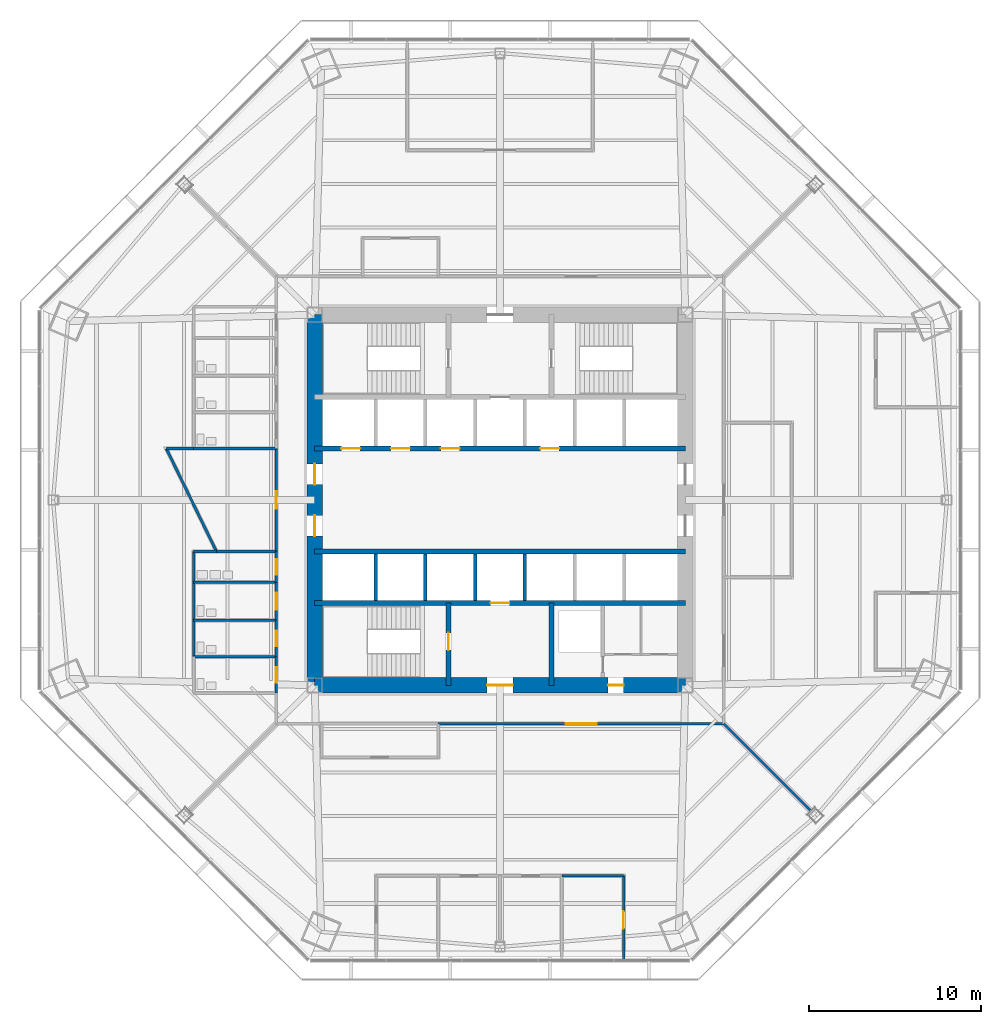
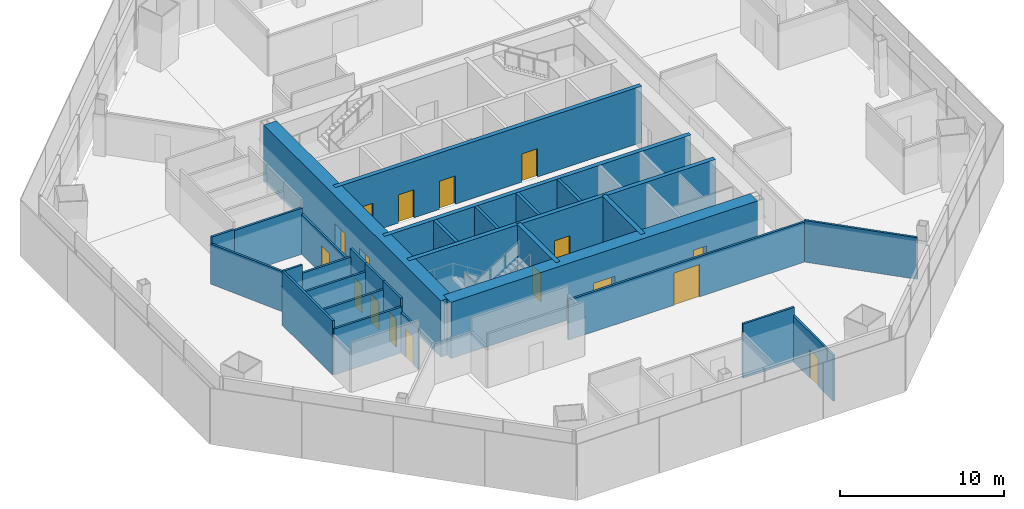
# One storey, part 8 of 14: 29 walls, 17 doors, 17 openings.
"""IFC4 building model written with IfcOpenShell, lengths in metres."""

import ifcopenshell
import ifcopenshell.guid

model = None  # the IFC model being written
_history = None  # IfcOwnerHistory: only IFC2X3 demands one
_inside = {}  # id of a spatial element -> (the spatial element, [elements in it])
_under = {}  # id of a project, library or spatial element -> (it, [spatial elements below it])
_declared = {}  # id of a project -> (the project, [libraries it declares])
_typed = {}  # id of a type object -> (the type object, [elements of that type])
_made_of = {}  # id of a material, layer set ... -> (it, [elements and type objects made of it])


def new_model(schema):
    """Start an empty IFC model of exactly this schema.

    Asked for "IFC4X3", IfcOpenShell would pick the latest addendum, in which some entities
    have other attributes; the version numbers below select the first issue.
    IFC2X3 requires an IfcOwnerHistory on every rooted entity: one is made here for all.
    """
    global model, _history
    if schema == "IFC4X3":
        model = ifcopenshell.file(schema_version=(4, 3, 0, 0))
    else:
        model = ifcopenshell.file(schema=schema)
    _inside.clear()
    _under.clear()
    _declared.clear()
    _typed.clear()
    _made_of.clear()
    _history = None
    if model.schema == "IFC2X3":
        org = make("IfcOrganization", Name="unknown")
        user = make(
            "IfcPersonAndOrganization",
            ThePerson=make("IfcPerson", FamilyName="unknown"),
            TheOrganization=org,
        )
        app = make(
            "IfcApplication",
            ApplicationDeveloper=org,
            Version="unknown",
            ApplicationFullName="unknown",
            ApplicationIdentifier="unknown",
        )
        _history = make(
            "IfcOwnerHistory",
            OwningUser=user,
            OwningApplication=app,
            ChangeAction="ADDED",
            CreationDate=0,
        )
    return model


def make(cls, **values):
    """One entity of the class cls with the attributes given. An attribute that is None is left unset."""
    return model.create_entity(
        cls, **{name: value for name, value in values.items() if value is not None}
    )


def rooted(cls, **values):
    """An entity with a GlobalId (a new one), such as an element, a storey or a relation."""
    return make(cls, GlobalId=ifcopenshell.guid.new(), OwnerHistory=_history, **values)


def si_unit(unit_type, name, prefix=None):
    """IfcSIUnit, for example si_unit("LENGTHUNIT", "METRE", prefix="MILLI")."""
    return make("IfcSIUnit", UnitType=unit_type, Prefix=prefix, Name=name)


def assignment(units):
    """IfcUnitAssignment: the units of a project."""
    return None if units is None else make("IfcUnitAssignment", Units=units)


def point(xyz):
    """IfcCartesianPoint."""
    return None if xyz is None else make("IfcCartesianPoint", Coordinates=xyz)


def direction(xyz):
    """IfcDirection."""
    return None if xyz is None else make("IfcDirection", DirectionRatios=xyz)


def frame(location, z_axis=None, x_axis=None):
    """IfcAxis2Placement3D, a coordinate frame: its origin and axes. An axis left out is left unset."""
    return make(
        "IfcAxis2Placement3D",
        Location=point(location),
        Axis=direction(z_axis),
        RefDirection=direction(x_axis),
    )


def frame_2d(location, x_axis=None):
    """IfcAxis2Placement2D, a coordinate frame in the plane: its origin and x axis."""
    return make(
        "IfcAxis2Placement2D", Location=point(location), RefDirection=direction(x_axis)
    )


def origin():
    """The frame at (0, 0, 0) with its axes left unset."""
    return frame((0.0, 0.0, 0.0))


def place(relative_to, where):
    """IfcLocalPlacement: puts the frame where relative to a parent placement (None: the world)."""
    return make(
        "IfcLocalPlacement", PlacementRelTo=relative_to, RelativePlacement=where
    )


def context(
    kind, dimensions, precision=None, world=None, true_north=None, identifier=None
):
    """IfcGeometricRepresentationContext, for example the 3D "Model" context."""
    return make(
        "IfcGeometricRepresentationContext",
        ContextIdentifier=identifier,
        ContextType=kind,
        CoordinateSpaceDimension=dimensions,
        Precision=precision,
        WorldCoordinateSystem=world,
        TrueNorth=true_north,
    )


def subcontext(parent, identifier, kind, view, scale=None):
    """IfcGeometricRepresentationSubContext, for example "Body" below "Model"."""
    return make(
        "IfcGeometricRepresentationSubContext",
        ContextIdentifier=identifier,
        ContextType=kind,
        ParentContext=parent,
        TargetScale=scale,
        TargetView=view,
    )


def project(units=None, contexts=None):
    """IfcProject with its units and contexts."""
    return rooted(
        "IfcProject",
        Name="project",
        RepresentationContexts=contexts,
        UnitsInContext=assignment(units),
    )


def spatial(cls, under=None, at=None, **own):
    """A site, building, storey or space (cls), placed at a placement, below another one or the project."""
    s = rooted(cls, ObjectPlacement=at, **own)
    if under is not None:
        _under.setdefault(under.id(), (under, []))[1].append(s)
    return s


def profile(cls, at=None, kind="AREA", **sizes):
    """A parametric profile (cls). Its sizes go by their IFC names, for example OverallWidth=200.0."""
    return make(cls, ProfileType=kind, Position=at, **sizes)


def rectangle(**sizes):
    """IfcRectangleProfileDef."""
    return profile("IfcRectangleProfileDef", **sizes)


def extrude(swept, where, along, depth):
    """IfcExtrudedAreaSolid: the profile swept, set in the frame where, extruded along a direction by depth."""
    return make(
        "IfcExtrudedAreaSolid",
        SweptArea=swept,
        Position=where,
        ExtrudedDirection=direction(along),
        Depth=depth,
    )


def shape(context_of_items, identifier, shape_type, items):
    """IfcShapeRepresentation: the items that make up one representation, for example the "Body"."""
    return make(
        "IfcShapeRepresentation",
        ContextOfItems=context_of_items,
        RepresentationIdentifier=identifier,
        RepresentationType=shape_type,
        Items=items,
    )


def material(Name=None, Category=None):
    """IfcMaterial."""
    return make("IfcMaterial", Name=Name, Category=Category)


def layer(
    of_material, thickness, ventilated=None, Name=None, Category=None, Priority=None
):
    """IfcMaterialLayer: one layer of a wall or slab, of a material (None: an air gap)."""
    return make(
        "IfcMaterialLayer",
        Material=of_material,
        LayerThickness=thickness,
        IsVentilated=ventilated,
        Name=Name,
        Category=Category,
        Priority=Priority,
    )


def layer_set(layers, Name=None):
    """IfcMaterialLayerSet."""
    return make("IfcMaterialLayerSet", MaterialLayers=layers, LayerSetName=Name)


def made_of(thing, what):
    """Note that an element or type object is made of a material, layer set ...; save() writes the relation."""
    if what is not None:
        _made_of.setdefault(what.id(), (what, []))[1].append(thing)
    return thing


def type_object(cls, material=None, **own):
    """A type object (cls), such as IfcWallType, which elements share."""
    return made_of(rooted(cls, **own), material)


def element(
    cls,
    number,
    at=None,
    inside=None,
    cuts=None,
    type_object=None,
    material=None,
    context=None,
    identifier="Body",
    shape_type=None,
    held_by="IfcProductDefinitionShape",
    body=None,
    shapes=None,
    **own,
):
    """One element of the class cls, such as IfcWall. Its Tag is "e" and its number.

    at: its placement. inside: the storey or other place that contains it. cuts: it is an
    opening in that element (IfcRelVoidsElement). A single representation is given by context,
    identifier, shape_type and body (its items); several are given by shapes. held_by: the class
    of the entity that holds the representations. save() writes the other relations.
    """
    e = rooted(cls, Tag="e%d" % number, ObjectPlacement=at, **own)
    if body is not None:
        shapes = [shape(context, identifier, shape_type, body)]
    if shapes is not None:
        e.Representation = make(held_by, Representations=shapes)
    if inside is not None:
        _inside.setdefault(inside.id(), (inside, []))[1].append(e)
    if cuts is not None:
        rooted(
            "IfcRelVoidsElement", RelatingBuildingElement=cuts, RelatedOpeningElement=e
        )
    if type_object is not None:
        _typed.setdefault(type_object.id(), (type_object, []))[1].append(e)
    return made_of(e, material)


def fill(opening, filler):
    """IfcRelFillsElement: the door or window that sits in an opening."""
    return rooted(
        "IfcRelFillsElement",
        RelatingOpeningElement=opening,
        RelatedBuildingElement=filler,
    )


def aggregate(whole, parts):
    """IfcRelAggregates: a whole, such as a stair, and the parts it consists of."""
    return rooted("IfcRelAggregates", RelatingObject=whole, RelatedObjects=parts)


def save(model, path):
    """Write the relations noted so far, then the file.

    IfcRelAggregates (storeys below a building ...), IfcRelContainedInSpatialStructure (elements
    in a storey), IfcRelDefinesByType, IfcRelAssociatesMaterial and IfcRelDeclares: one each for
    every whole, place, type object, material and project.
    """
    for whole, parts in _under.values():
        aggregate(whole, parts)
    for where, things in _inside.values():
        rooted(
            "IfcRelContainedInSpatialStructure",
            RelatedElements=things,
            RelatingStructure=where,
        )
    for kind, things in _typed.values():
        rooted("IfcRelDefinesByType", RelatedObjects=things, RelatingType=kind)
    for what, things in _made_of.values():
        rooted("IfcRelAssociatesMaterial", RelatedObjects=things, RelatingMaterial=what)
    for by, libraries in _declared.values():
        rooted("IfcRelDeclares", RelatingContext=by, RelatedDefinitions=libraries)
    model.write(path)


model = new_model("IFC4")

# Units and contexts
model_context = context("Model", 3, precision=1e-05, world=origin(), true_north=direction((0.0, 1.0)))
body_context = subcontext(model_context, "Body", "Model", "MODEL_VIEW")
ifc_project = project(units=[si_unit("LENGTHUNIT", "METRE"), si_unit("AREAUNIT", "SQUARE_METRE"), si_unit("VOLUMEUNIT", "CUBIC_METRE"), si_unit("PLANEANGLEUNIT", "RADIAN"), si_unit("MASSUNIT", "GRAM", prefix="KILO")], contexts=[model_context])

# Site, building, storey
site_placement = place(None, origin())
site = spatial("IfcSite", under=ifc_project, at=site_placement, CompositionType="ELEMENT")
building_placement = place(site_placement, origin())
building = spatial("IfcBuilding", under=site, at=building_placement, Name="Mashrafa Tower", CompositionType="ELEMENT")
storey_placement = place(building_placement, frame((0.0, 0.0, 41.39990234375)))
storey = spatial("IfcBuildingStorey", under=building, at=storey_placement, Name="L08", CompositionType="ELEMENT", Elevation=41.39990234375)

# Wall, openings, doors
ifc_material_1 = material(Name="Concrete C60/75", Category="concrete")
ifc_layer_1 = layer(ifc_material_1, 0.300048828125)
ifc_layer_set_1 = layer_set([ifc_layer_1], Name="Core wall 300 C60/75")
wall_type_1 = type_object("IfcWallType", Name="Core wall 300 C60/75", PredefinedType="SOLIDWALL", material=ifc_layer_set_1)
wall_1_placement = place(storey_placement, frame((-10.800048828125, 3.0, 0.0), z_axis=(0.0, 0.0, 1.0), x_axis=(1.0, 0.0, 0.0)))
wall_1 = element("IfcWall", 1, at=wall_1_placement, inside=storey, type_object=wall_type_1, Name="Core wall CH-N L08", PredefinedType="SOLIDWALL", context=body_context, shape_type="SweptSolid", body=[
    extrude(rectangle(XDim=21.60009765625, YDim=0.300048828125, at=frame_2d((10.800048828125, 0.0))), origin(), (0.0, 0.0, 1.0), 4.2001953125),
])
opening_1_placement = place(wall_1_placement, frame((1.550048828125, 0.0, 0.0)))
opening_1 = element("IfcOpeningElement", 2, at=opening_1_placement, cuts=wall_1, Name="Opening 08.A1", PredefinedType="OPENING", context=body_context, shape_type="SweptSolid", body=[
    extrude(rectangle(XDim=1.10009765625, YDim=2.10009765625, at=frame_2d((0.550048828125, 1.050048828125))), frame((0.0, 0.159912109375, 0.0), z_axis=(0.0, -1.0, 0.0), x_axis=(1.0, 0.0, 0.0)), (0.0, 0.0, 1.0), 0.320068359375),
])
opening_2_placement = place(wall_1_placement, frame((4.449951171875, 0.0, 0.0)))
opening_2 = element("IfcOpeningElement", 3, at=opening_2_placement, cuts=wall_1, Name="Opening 08.A2", PredefinedType="OPENING", context=body_context, shape_type="SweptSolid", body=[
    extrude(rectangle(XDim=1.10009765625, YDim=2.10009765625, at=frame_2d((0.550048828125, 1.050048828125))), frame((0.0, 0.159912109375, 0.0), z_axis=(0.0, -1.0, 0.0), x_axis=(1.0, 0.0, 0.0)), (0.0, 0.0, 1.0), 0.320068359375),
])
opening_3_placement = place(wall_1_placement, frame((7.35009765625, 0.0, 0.0)))
opening_3 = element("IfcOpeningElement", 4, at=opening_3_placement, cuts=wall_1, Name="Opening 08.A3", PredefinedType="OPENING", context=body_context, shape_type="SweptSolid", body=[
    extrude(rectangle(XDim=1.10009765625, YDim=2.10009765625, at=frame_2d((0.550048828125, 1.050048828125))), frame((0.0, 0.159912109375, 0.0), z_axis=(0.0, -1.0, 0.0), x_axis=(1.0, 0.0, 0.0)), (0.0, 0.0, 1.0), 0.320068359375),
])
opening_4_placement = place(wall_1_placement, frame((13.14990234375, 0.0, 0.0)))
opening_4 = element("IfcOpeningElement", 5, at=opening_4_placement, cuts=wall_1, Name="Opening 08.A4", PredefinedType="OPENING", context=body_context, shape_type="SweptSolid", body=[
    extrude(rectangle(XDim=1.10009765625, YDim=2.10009765625, at=frame_2d((0.550048828125, 1.050048828125))), frame((0.0, 0.159912109375, 0.0), z_axis=(0.0, -1.0, 0.0), x_axis=(1.0, 0.0, 0.0)), (0.0, 0.0, 1.0), 0.320068359375),
])
ifc_material_2 = material(Name="Steel door", Category="steel")
door_type_1 = type_object("IfcDoorType", Name="Lift landing door 1100 x 2100 90 min", OperationType="DOUBLE_DOOR_SLIDING", PredefinedType="DOOR", material=ifc_material_2)
door_1_placement = place(opening_1_placement, origin())
door_1 = element("IfcDoor", 6, at=door_1_placement, inside=storey, type_object=door_type_1, Name="Lift landing door A1 L08", OperationType="DOUBLE_DOOR_SLIDING", OverallHeight=2.10009765625, OverallWidth=1.10009765625, PredefinedType="DOOR", context=body_context, shape_type="SweptSolid", body=[
    extrude(rectangle(XDim=1.10009765625, YDim=2.10009765625, at=frame_2d((0.550048828125, 1.050048828125))), frame((0.0, 0.02490234375, 0.0), z_axis=(0.0, -1.0, 0.0), x_axis=(1.0, 0.0, 0.0)), (0.0, 0.0, 1.0), 0.050048828125),
])
fill(opening_1, door_1)
door_2_placement = place(opening_2_placement, origin())
door_2 = element("IfcDoor", 7, at=door_2_placement, inside=storey, type_object=door_type_1, Name="Lift landing door A2 L08", OperationType="DOUBLE_DOOR_SLIDING", OverallHeight=2.10009765625, OverallWidth=1.10009765625, PredefinedType="DOOR", context=body_context, shape_type="SweptSolid", body=[
    extrude(rectangle(XDim=1.10009765625, YDim=2.10009765625, at=frame_2d((0.550048828125, 1.050048828125))), frame((0.0, 0.02490234375, 0.0), z_axis=(0.0, -1.0, 0.0), x_axis=(1.0, 0.0, 0.0)), (0.0, 0.0, 1.0), 0.050048828125),
])
fill(opening_2, door_2)
door_3_placement = place(opening_3_placement, origin())
door_3 = element("IfcDoor", 8, at=door_3_placement, inside=storey, type_object=door_type_1, Name="Lift landing door A3 L08", OperationType="DOUBLE_DOOR_SLIDING", OverallHeight=2.10009765625, OverallWidth=1.10009765625, PredefinedType="DOOR", context=body_context, shape_type="SweptSolid", body=[
    extrude(rectangle(XDim=1.10009765625, YDim=2.10009765625, at=frame_2d((0.550048828125, 1.050048828125))), frame((0.0, 0.02490234375, 0.0), z_axis=(0.0, -1.0, 0.0), x_axis=(1.0, 0.0, 0.0)), (0.0, 0.0, 1.0), 0.050048828125),
])
fill(opening_3, door_3)
door_4_placement = place(opening_4_placement, origin())
door_4 = element("IfcDoor", 9, at=door_4_placement, inside=storey, type_object=door_type_1, Name="Lift landing door A4 L08", OperationType="DOUBLE_DOOR_SLIDING", OverallHeight=2.10009765625, OverallWidth=1.10009765625, PredefinedType="DOOR", context=body_context, shape_type="SweptSolid", body=[
    extrude(rectangle(XDim=1.10009765625, YDim=2.10009765625, at=frame_2d((0.550048828125, 1.050048828125))), frame((0.0, 0.02490234375, 0.0), z_axis=(0.0, -1.0, 0.0), x_axis=(1.0, 0.0, 0.0)), (0.0, 0.0, 1.0), 0.050048828125),
])
fill(opening_4, door_4)

# Wall
wall_2_placement = place(storey_placement, frame((-10.800048828125, -3.0, 0.0), z_axis=(0.0, 0.0, 1.0), x_axis=(1.0, 0.0, 0.0)))
element("IfcWall", 10, at=wall_2_placement, inside=storey, type_object=wall_type_1, Name="Core wall CH-S L08", PredefinedType="SOLIDWALL", context=body_context, shape_type="SweptSolid", body=[
    extrude(rectangle(XDim=21.60009765625, YDim=0.300048828125, at=frame_2d((10.800048828125, 0.0))), origin(), (0.0, 0.0, 1.0), 4.2001953125),
])

# Wall, opening, door
wall_3_placement = place(storey_placement, frame((-10.800048828125, -6.0, 0.0), z_axis=(0.0, 0.0, 1.0), x_axis=(1.0, 0.0, 0.0)))
wall_3 = element("IfcWall", 11, at=wall_3_placement, inside=storey, type_object=wall_type_1, Name="Core wall CB-S L08", PredefinedType="SOLIDWALL", context=body_context, shape_type="SweptSolid", body=[
    extrude(rectangle(XDim=21.60009765625, YDim=0.300048828125, at=frame_2d((10.800048828125, 0.0))), origin(), (0.0, 0.0, 1.0), 4.2001953125),
])
opening_5_placement = place(wall_3_placement, frame((10.25, 0.0, 0.0)))
opening_5 = element("IfcOpeningElement", 12, at=opening_5_placement, cuts=wall_3, Name="Opening 08.F2", PredefinedType="OPENING", context=body_context, shape_type="SweptSolid", body=[
    extrude(rectangle(XDim=1.10009765625, YDim=2.10009765625, at=frame_2d((0.550048828125, 1.050048828125))), frame((0.0, 0.159912109375, 0.0), z_axis=(0.0, -1.0, 0.0), x_axis=(1.0, 0.0, 0.0)), (0.0, 0.0, 1.0), 0.320068359375),
])
door_5_placement = place(opening_5_placement, origin())
door_5 = element("IfcDoor", 13, at=door_5_placement, inside=storey, type_object=door_type_1, Name="Lift landing door F2 L08", OperationType="DOUBLE_DOOR_SLIDING", OverallHeight=2.10009765625, OverallWidth=1.10009765625, PredefinedType="DOOR", context=body_context, shape_type="SweptSolid", body=[
    extrude(rectangle(XDim=1.10009765625, YDim=2.10009765625, at=frame_2d((0.550048828125, 1.050048828125))), frame((0.0, 0.02490234375, 0.0), z_axis=(0.0, -1.0, 0.0), x_axis=(1.0, 0.0, 0.0)), (0.0, 0.0, 1.0), 0.050048828125),
])
fill(opening_5, door_5)

wall_4_placement = place(storey_placement, frame((-3.0, -6.0, 0.0), z_axis=(0.0, 0.0, 1.0), x_axis=(0.0, -1.0, 0.0)))
wall_4 = element("IfcWall", 14, at=wall_4_placement, inside=storey, type_object=wall_type_1, Name="Core wall CX-SW L08", PredefinedType="SOLIDWALL", context=body_context, shape_type="SweptSolid", body=[
    extrude(rectangle(XDim=4.800048828125, YDim=0.300048828125, at=frame_2d((2.39990234375, 0.0))), origin(), (0.0, 0.0, 1.0), 4.2001953125),
])
opening_6_placement = place(wall_4_placement, frame((1.75, 0.0, 0.0)))
opening_6 = element("IfcOpeningElement", 15, at=opening_6_placement, cuts=wall_4, Name="Opening 08.032", PredefinedType="OPENING", context=body_context, shape_type="SweptSolid", body=[
    extrude(rectangle(XDim=1.0, YDim=2.10009765625, at=frame_2d((0.5, 1.050048828125))), frame((0.0, 0.159912109375, 0.0), z_axis=(0.0, -1.0, 0.0), x_axis=(1.0, 0.0, 0.0)), (0.0, 0.0, 1.0), 0.320068359375),
])
ifc_material_3 = material(Name="Steel door", Category="steel")
door_type_2 = type_object("IfcDoorType", Name="Stair door 1000 x 2100 90 min", OperationType="USERDEFINED", PredefinedType="DOOR", material=ifc_material_3)
door_6_placement = place(opening_6_placement, frame((1.0, 0.0, 0.0), z_axis=(0.0, 0.0, 1.0), x_axis=(-1.0, 0.0, 0.0)))
door_6 = element("IfcDoor", 16, at=door_6_placement, inside=storey, type_object=door_type_2, Name="Stair S3 door L08", OperationType="SINGLE_SWING_RIGHT", OverallHeight=2.10009765625, OverallWidth=1.0, PredefinedType="DOOR", context=body_context, shape_type="SweptSolid", body=[
    extrude(rectangle(XDim=1.0, YDim=2.10009765625, at=frame_2d((0.5, 1.050048828125))), frame((0.0, 0.02490234375, 0.0), z_axis=(0.0, -1.0, 0.0), x_axis=(1.0, 0.0, 0.0)), (0.0, 0.0, 1.0), 0.050048828125),
])
fill(opening_6, door_6)

# Wall
wall_5_placement = place(storey_placement, frame((3.0, -6.0, 0.0), z_axis=(0.0, 0.0, 1.0), x_axis=(0.0, -1.0, 0.0)))
element("IfcWall", 17, at=wall_5_placement, inside=storey, type_object=wall_type_1, Name="Core wall CX-SE L08", PredefinedType="SOLIDWALL", context=body_context, shape_type="SweptSolid", body=[
    extrude(rectangle(XDim=4.800048828125, YDim=0.300048828125, at=frame_2d((2.39990234375, 0.0))), origin(), (0.0, 0.0, 1.0), 4.2001953125),
])

# Wall, openings, doors
ifc_material_4 = material(Name="Concrete C60/75", Category="concrete")
ifc_layer_2 = layer(ifc_material_4, 0.89990234375)
ifc_layer_set_2 = layer_set([ifc_layer_2], Name="Core wall 900 C60/75")
wall_type_2 = type_object("IfcWallType", Name="Core wall 900 C60/75", PredefinedType="SOLIDWALL", material=ifc_layer_set_2)
wall_6_placement = place(storey_placement, frame((-10.800048828125, -10.800048828125, 0.0), z_axis=(0.0, 0.0, 1.0), x_axis=(1.0, 0.0, 0.0)))
wall_6 = element("IfcWall", 18, at=wall_6_placement, inside=storey, type_object=wall_type_2, Name="Core wall CW-S L08", PredefinedType="SOLIDWALL", context=body_context, shape_type="SweptSolid", body=[
    extrude(rectangle(XDim=21.60009765625, YDim=0.89990234375, at=frame_2d((10.800048828125, 0.0))), origin(), (0.0, 0.0, 1.0), 4.2001953125),
])
opening_7_placement = place(wall_6_placement, frame((10.050048828125, 0.0, 0.0)))
opening_7 = element("IfcOpeningElement", 19, at=opening_7_placement, cuts=wall_6, Name="Opening 08.029", PredefinedType="OPENING", context=body_context, shape_type="SweptSolid", body=[
    extrude(rectangle(XDim=1.5, YDim=2.10009765625, at=frame_2d((0.75, 1.050048828125))), frame((0.0, 0.4599609375, 0.0), z_axis=(0.0, -1.0, 0.0), x_axis=(1.0, 0.0, 0.0)), (0.0, 0.0, 1.0), 0.919921875),
])
opening_8_placement = place(wall_6_placement, frame((17.10009765625, 0.0, 0.0)))
opening_8 = element("IfcOpeningElement", 20, at=opening_8_placement, cuts=wall_6, Name="Opening 08.033", PredefinedType="OPENING", context=body_context, shape_type="SweptSolid", body=[
    extrude(rectangle(XDim=0.89990234375, YDim=2.10009765625, at=frame_2d((0.449951171875, 1.050048828125))), frame((0.0, 0.4599609375, 0.0), z_axis=(0.0, -1.0, 0.0), x_axis=(1.0, 0.0, 0.0)), (0.0, 0.0, 1.0), 0.919921875),
])
ifc_material_5 = material(Name="Steel door", Category="steel")
door_type_3 = type_object("IfcDoorType", Name="Lobby door pair 1500 x 2100 90 min", OperationType="DOUBLE_DOOR_SINGLE_SWING", PredefinedType="DOOR", material=ifc_material_5)
door_7_placement = place(opening_7_placement, origin())
door_7 = element("IfcDoor", 21, at=door_7_placement, inside=storey, type_object=door_type_3, Name="Fire-fighting lobby F2 door L08", OperationType="DOUBLE_DOOR_SINGLE_SWING", OverallHeight=2.10009765625, OverallWidth=1.5, PredefinedType="DOOR", context=body_context, shape_type="SweptSolid", body=[
    extrude(rectangle(XDim=1.5, YDim=2.10009765625, at=frame_2d((0.75, 1.050048828125))), frame((0.0, 0.02490234375, 0.0), z_axis=(0.0, -1.0, 0.0), x_axis=(1.0, 0.0, 0.0)), (0.0, 0.0, 1.0), 0.050048828125),
])
fill(opening_7, door_7)
ifc_material_6 = material(Name="Steel door", Category="steel")
door_type_4 = type_object("IfcDoorType", Name="Service door 900 x 2100 90 min", OperationType="USERDEFINED", PredefinedType="DOOR", material=ifc_material_6)
door_8_placement = place(opening_8_placement, frame((0.89990234375, 0.0, 0.0), z_axis=(0.0, 0.0, 1.0), x_axis=(-1.0, 0.0, 0.0)))
door_8 = element("IfcDoor", 22, at=door_8_placement, inside=storey, type_object=door_type_4, Name="Services Lobby L08 door", OperationType="SINGLE_SWING_LEFT", OverallHeight=2.10009765625, OverallWidth=0.89990234375, PredefinedType="DOOR", context=body_context, shape_type="SweptSolid", body=[
    extrude(rectangle(XDim=0.89990234375, YDim=2.10009765625, at=frame_2d((0.449951171875, 1.050048828125))), frame((0.0, 0.02490234375, 0.0), z_axis=(0.0, -1.0, 0.0), x_axis=(1.0, 0.0, 0.0)), (0.0, 0.0, 1.0), 0.050048828125),
])
fill(opening_8, door_8)

wall_7_placement = place(storey_placement, frame((-10.800048828125, 10.800048828125, 0.0), z_axis=(0.0, 0.0, 1.0), x_axis=(0.0, -1.0, 0.0)))
wall_7 = element("IfcWall", 23, at=wall_7_placement, inside=storey, type_object=wall_type_2, Name="Core wall CW-W L08", PredefinedType="SOLIDWALL", context=body_context, shape_type="SweptSolid", body=[
    extrude(rectangle(XDim=21.60009765625, YDim=0.89990234375, at=frame_2d((10.800048828125, 0.0))), origin(), (0.0, 0.0, 1.0), 4.2001953125),
])
opening_9_placement = place(wall_7_placement, frame((8.699951171875, 0.0, 0.0)))
opening_9 = element("IfcOpeningElement", 24, at=opening_9_placement, cuts=wall_7, Name="Opening 08.025", PredefinedType="OPENING", context=body_context, shape_type="SweptSolid", body=[
    extrude(rectangle(XDim=1.199951171875, YDim=2.10009765625, at=frame_2d((0.60009765625, 1.050048828125))), frame((0.0, 0.4599609375, 0.0), z_axis=(0.0, -1.0, 0.0), x_axis=(1.0, 0.0, 0.0)), (0.0, 0.0, 1.0), 0.919921875),
])
opening_10_placement = place(wall_7_placement, frame((11.699951171875, 0.0, 0.0)))
opening_10 = element("IfcOpeningElement", 25, at=opening_10_placement, cuts=wall_7, Name="Opening 08.027", PredefinedType="OPENING", context=body_context, shape_type="SweptSolid", body=[
    extrude(rectangle(XDim=1.199951171875, YDim=2.10009765625, at=frame_2d((0.60009765625, 1.050048828125))), frame((0.0, 0.4599609375, 0.0), z_axis=(0.0, -1.0, 0.0), x_axis=(1.0, 0.0, 0.0)), (0.0, 0.0, 1.0), 0.919921875),
])
ifc_material_7 = material(Name="Steel door", Category="steel")
door_type_5 = type_object("IfcDoorType", Name="Lift hall door 1200 x 2100 90 min", OperationType="USERDEFINED", PredefinedType="DOOR", material=ifc_material_7)
door_9_placement = place(opening_9_placement, frame((1.199951171875, 0.0, 0.0), z_axis=(0.0, 0.0, 1.0), x_axis=(-1.0, 0.0, 0.0)))
door_9 = element("IfcDoor", 26, at=door_9_placement, inside=storey, type_object=door_type_5, Name="Lift hall door west L08", OperationType="SINGLE_SWING_RIGHT", OverallHeight=2.10009765625, OverallWidth=1.199951171875, PredefinedType="DOOR", context=body_context, shape_type="SweptSolid", body=[
    extrude(rectangle(XDim=1.199951171875, YDim=2.10009765625, at=frame_2d((0.60009765625, 1.050048828125))), frame((0.0, 0.02490234375, 0.0), z_axis=(0.0, -1.0, 0.0), x_axis=(1.0, 0.0, 0.0)), (0.0, 0.0, 1.0), 0.050048828125),
])
fill(opening_9, door_9)
door_10_placement = place(opening_10_placement, frame((1.199951171875, 0.0, 0.0), z_axis=(0.0, 0.0, 1.0), x_axis=(-1.0, 0.0, 0.0)))
door_10 = element("IfcDoor", 27, at=door_10_placement, inside=storey, type_object=door_type_5, Name="Lift hall door west L08", OperationType="SINGLE_SWING_LEFT", OverallHeight=2.10009765625, OverallWidth=1.199951171875, PredefinedType="DOOR", context=body_context, shape_type="SweptSolid", body=[
    extrude(rectangle(XDim=1.199951171875, YDim=2.10009765625, at=frame_2d((0.60009765625, 1.050048828125))), frame((0.0, 0.02490234375, 0.0), z_axis=(0.0, -1.0, 0.0), x_axis=(1.0, 0.0, 0.0)), (0.0, 0.0, 1.0), 0.050048828125),
])
fill(opening_10, door_10)

# Wall, opening, door
ifc_material_8 = material(Name="Gypsum board on steel studs", Category="steel")
ifc_layer_3 = layer(ifc_material_8, 0.14990234375)
ifc_layer_set_3 = layer_set([ifc_layer_3], Name="Corridor partition 150 1 hr")
wall_type_3 = type_object("IfcWallType", Name="Corridor partition 150 1 hr", PredefinedType="PARTITIONING", material=ifc_layer_set_3)
wall_8_placement = place(storey_placement, frame((-13.050048828125, -9.1240234375, 0.0), z_axis=(0.0, 0.0, 1.0), x_axis=(0.0, -1.0, 0.0)))
wall_8 = element("IfcWall", 28, at=wall_8_placement, inside=storey, type_object=wall_type_3, Name="Corridor wall L08-005", PredefinedType="PARTITIONING", context=body_context, shape_type="SweptSolid", body=[
    extrude(rectangle(XDim=2.126953125, YDim=0.14990234375, at=frame_2d((1.0634765625, 0.0))), origin(), (0.0, 0.0, 1.0), 3.01416015625),
])
opening_11_placement = place(wall_8_placement, frame((0.613525390625, 0.0, 0.0)))
opening_11 = element("IfcOpeningElement", 29, at=opening_11_placement, cuts=wall_8, Name="Opening 08.005", PredefinedType="OPENING", context=body_context, shape_type="SweptSolid", body=[
    extrude(rectangle(XDim=0.89990234375, YDim=2.10009765625, at=frame_2d((0.449951171875, 1.050048828125))), frame((0.0, 0.0849609375, 0.0), z_axis=(0.0, -1.0, 0.0), x_axis=(1.0, 0.0, 0.0)), (0.0, 0.0, 1.0), 0.169921875),
])
ifc_material_9 = material(Name="Timber door", Category="wood")
door_type_6 = type_object("IfcDoorType", Name="Toilet door 900 x 2100", OperationType="USERDEFINED", PredefinedType="DOOR", material=ifc_material_9)
door_11_placement = place(opening_11_placement, frame((0.89990234375, 0.0, 0.0), z_axis=(0.0, 0.0, 1.0), x_axis=(-1.0, 0.0, 0.0)))
door_11 = element("IfcDoor", 30, at=door_11_placement, inside=storey, type_object=door_type_6, Name="WC Female L08 S door", OperationType="SINGLE_SWING_RIGHT", OverallHeight=2.10009765625, OverallWidth=0.89990234375, PredefinedType="DOOR", context=body_context, shape_type="SweptSolid", body=[
    extrude(rectangle(XDim=0.89990234375, YDim=2.10009765625, at=frame_2d((0.449951171875, 1.050048828125))), frame((0.0, 0.02490234375, 0.0), z_axis=(0.0, -1.0, 0.0), x_axis=(1.0, 0.0, 0.0)), (0.0, 0.0, 1.0), 0.050048828125),
])
fill(opening_11, door_11)

wall_9_placement = place(storey_placement, frame((-13.050048828125, -6.9990234375, 0.0), z_axis=(0.0, 0.0, 1.0), x_axis=(0.0, -1.0, 0.0)))
wall_9 = element("IfcWall", 31, at=wall_9_placement, inside=storey, type_object=wall_type_3, Name="Corridor wall L08-006", PredefinedType="PARTITIONING", context=body_context, shape_type="SweptSolid", body=[
    extrude(rectangle(XDim=2.126953125, YDim=0.14990234375, at=frame_2d((1.0634765625, 0.0))), origin(), (0.0, 0.0, 1.0), 4.03515625),
])
opening_12_placement = place(wall_9_placement, frame((0.613525390625, 0.0, 0.0)))
opening_12 = element("IfcOpeningElement", 32, at=opening_12_placement, cuts=wall_9, Name="Opening 08.006", PredefinedType="OPENING", context=body_context, shape_type="SweptSolid", body=[
    extrude(rectangle(XDim=0.89990234375, YDim=2.10009765625, at=frame_2d((0.449951171875, 1.050048828125))), frame((0.0, 0.0849609375, 0.0), z_axis=(0.0, -1.0, 0.0), x_axis=(1.0, 0.0, 0.0)), (0.0, 0.0, 1.0), 0.169921875),
])
door_12_placement = place(opening_12_placement, frame((0.89990234375, 0.0, 0.0), z_axis=(0.0, 0.0, 1.0), x_axis=(-1.0, 0.0, 0.0)))
door_12 = element("IfcDoor", 33, at=door_12_placement, inside=storey, type_object=door_type_6, Name="WC Male L08 S door", OperationType="SINGLE_SWING_RIGHT", OverallHeight=2.10009765625, OverallWidth=0.89990234375, PredefinedType="DOOR", context=body_context, shape_type="SweptSolid", body=[
    extrude(rectangle(XDim=0.89990234375, YDim=2.10009765625, at=frame_2d((0.449951171875, 1.050048828125))), frame((0.0, 0.02490234375, 0.0), z_axis=(0.0, -1.0, 0.0), x_axis=(1.0, 0.0, 0.0)), (0.0, 0.0, 1.0), 0.050048828125),
])
fill(opening_12, door_12)

wall_10_placement = place(storey_placement, frame((-13.050048828125, -4.799072265625, 0.0), z_axis=(0.0, 0.0, 1.0), x_axis=(0.0, -1.0, 0.0)))
wall_10 = element("IfcWall", 34, at=wall_10_placement, inside=storey, type_object=wall_type_3, Name="Corridor wall L08-007", PredefinedType="PARTITIONING", context=body_context, shape_type="SweptSolid", body=[
    extrude(rectangle(XDim=2.201904296875, YDim=0.14990234375, at=frame_2d((1.10107421875, 0.0))), origin(), (0.0, 0.0, 1.0), 4.03515625),
])
opening_13_placement = place(wall_10_placement, frame((0.60107421875, 0.0, 0.0)))
opening_13 = element("IfcOpeningElement", 35, at=opening_13_placement, cuts=wall_10, Name="Opening 08.007", PredefinedType="OPENING", context=body_context, shape_type="SweptSolid", body=[
    extrude(rectangle(XDim=1.0, YDim=2.10009765625, at=frame_2d((0.5, 1.050048828125))), frame((0.0, 0.0849609375, 0.0), z_axis=(0.0, -1.0, 0.0), x_axis=(1.0, 0.0, 0.0)), (0.0, 0.0, 1.0), 0.169921875),
])
ifc_material_10 = material(Name="Timber door", Category="wood")
door_type_7 = type_object("IfcDoorType", Name="Accessible toilet door 1000 x 2100", OperationType="USERDEFINED", PredefinedType="DOOR", material=ifc_material_10)
door_13_placement = place(opening_13_placement, frame((1.0, 0.0, 0.0), z_axis=(0.0, 0.0, 1.0), x_axis=(-1.0, 0.0, 0.0)))
door_13 = element("IfcDoor", 36, at=door_13_placement, inside=storey, type_object=door_type_7, Name="Accessible WC L08 S door", OperationType="SINGLE_SWING_LEFT", OverallHeight=2.10009765625, OverallWidth=1.0, PredefinedType="DOOR", context=body_context, shape_type="SweptSolid", body=[
    extrude(rectangle(XDim=1.0, YDim=2.10009765625, at=frame_2d((0.5, 1.050048828125))), frame((0.0, 0.02490234375, 0.0), z_axis=(0.0, -1.0, 0.0), x_axis=(1.0, 0.0, 0.0)), (0.0, 0.0, 1.0), 0.050048828125),
])
fill(opening_13, door_13)

wall_11_placement = place(storey_placement, frame((-13.050048828125, -2.9990234375, 0.0), z_axis=(0.0, 0.0, 1.0), x_axis=(0.0, -1.0, 0.0)))
wall_11 = element("IfcWall", 37, at=wall_11_placement, inside=storey, type_object=wall_type_3, Name="Corridor wall L08-008", PredefinedType="PARTITIONING", context=body_context, shape_type="SweptSolid", body=[
    extrude(rectangle(XDim=1.802001953125, YDim=0.14990234375, at=frame_2d((0.90087890625, 0.0))), origin(), (0.0, 0.0, 1.0), 4.03515625),
])
opening_14_placement = place(wall_11_placement, frame((0.450927734375, 0.0, 0.0)))
opening_14 = element("IfcOpeningElement", 38, at=opening_14_placement, cuts=wall_11, Name="Opening 08.008", PredefinedType="OPENING", context=body_context, shape_type="SweptSolid", body=[
    extrude(rectangle(XDim=0.89990234375, YDim=2.10009765625, at=frame_2d((0.449951171875, 1.050048828125))), frame((0.0, 0.0849609375, 0.0), z_axis=(0.0, -1.0, 0.0), x_axis=(1.0, 0.0, 0.0)), (0.0, 0.0, 1.0), 0.169921875),
])
door_14_placement = place(opening_14_placement, frame((0.89990234375, 0.0, 0.0), z_axis=(0.0, 0.0, 1.0), x_axis=(-1.0, 0.0, 0.0)))
door_14 = element("IfcDoor", 39, at=door_14_placement, inside=storey, type_object=door_type_6, Name="Ablution Room L08 S door", OperationType="SINGLE_SWING_RIGHT", OverallHeight=2.10009765625, OverallWidth=0.89990234375, PredefinedType="DOOR", context=body_context, shape_type="SweptSolid", body=[
    extrude(rectangle(XDim=0.89990234375, YDim=2.10009765625, at=frame_2d((0.449951171875, 1.050048828125))), frame((0.0, 0.02490234375, 0.0), z_axis=(0.0, -1.0, 0.0), x_axis=(1.0, 0.0, 0.0)), (0.0, 0.0, 1.0), 0.050048828125),
])
fill(opening_14, door_14)

wall_12_placement = place(storey_placement, frame((-13.050048828125, 3.0009765625, 0.0), z_axis=(0.0, 0.0, 1.0), x_axis=(0.0, -1.0, 0.0)))
wall_12 = element("IfcWall", 40, at=wall_12_placement, inside=storey, type_object=wall_type_3, Name="Corridor wall L08-009", PredefinedType="PARTITIONING", context=body_context, shape_type="SweptSolid", body=[
    extrude(rectangle(XDim=6.001953125, YDim=0.14990234375, at=frame_2d((3.0009765625, 0.0))), origin(), (0.0, 0.0, 1.0), 2.983642578125),
])
opening_15_placement = place(wall_12_placement, frame((2.5009765625, 0.0, 0.0)))
opening_15 = element("IfcOpeningElement", 41, at=opening_15_placement, cuts=wall_12, Name="Opening 08.009", PredefinedType="OPENING", context=body_context, shape_type="SweptSolid", body=[
    extrude(rectangle(XDim=1.0, YDim=2.10009765625, at=frame_2d((0.5, 1.050048828125))), frame((0.0, 0.0849609375, 0.0), z_axis=(0.0, -1.0, 0.0), x_axis=(1.0, 0.0, 0.0)), (0.0, 0.0, 1.0), 0.169921875),
])
ifc_material_11 = material(Name="Timber door", Category="wood")
door_type_8 = type_object("IfcDoorType", Name="Door 1000 x 2100", OperationType="USERDEFINED", PredefinedType="DOOR", material=ifc_material_11)
door_15_placement = place(opening_15_placement, frame((1.0, 0.0, 0.0), z_axis=(0.0, 0.0, 1.0), x_axis=(-1.0, 0.0, 0.0)))
door_15 = element("IfcDoor", 42, at=door_15_placement, inside=storey, type_object=door_type_8, Name="Musallah Prayer Room 08 door", OperationType="SINGLE_SWING_LEFT", OverallHeight=2.10009765625, OverallWidth=1.0, PredefinedType="DOOR", context=body_context, shape_type="SweptSolid", body=[
    extrude(rectangle(XDim=1.0, YDim=2.10009765625, at=frame_2d((0.5, 1.050048828125))), frame((0.0, 0.02490234375, 0.0), z_axis=(0.0, -1.0, 0.0), x_axis=(1.0, 0.0, 0.0)), (0.0, 0.0, 1.0), 0.050048828125),
])
fill(opening_15, door_15)

wall_13_placement = place(storey_placement, frame((-3.60107421875, -13.050048828125, 0.0), z_axis=(0.0, 0.0, 1.0), x_axis=(1.0, 0.0, 0.0)))
wall_13 = element("IfcWall", 43, at=wall_13_placement, inside=storey, type_object=wall_type_3, Name="Corridor wall L08-018", PredefinedType="PARTITIONING", context=body_context, shape_type="SweptSolid", body=[
    extrude(rectangle(XDim=16.651123046875, YDim=0.14990234375, at=frame_2d((8.32568359375, 0.0))), origin(), (0.0, 0.0, 1.0), 2.983642578125),
])
opening_16_placement = place(wall_13_placement, frame((7.425537109375, 0.0, 0.0)))
opening_16 = element("IfcOpeningElement", 44, at=opening_16_placement, cuts=wall_13, Name="Opening 08.022", PredefinedType="OPENING", context=body_context, shape_type="SweptSolid", body=[
    extrude(rectangle(XDim=1.800048828125, YDim=2.39990234375, at=frame_2d((0.89990234375, 1.199951171875))), frame((0.0, 0.0849609375, 0.0), z_axis=(0.0, -1.0, 0.0), x_axis=(1.0, 0.0, 0.0)), (0.0, 0.0, 1.0), 0.169921875),
])
ifc_material_12 = material(Name="Timber door", Category="wood")
door_type_9 = type_object("IfcDoorType", Name="Door pair 1800 x 2400", OperationType="DOUBLE_DOOR_SINGLE_SWING", PredefinedType="DOOR", material=ifc_material_12)
door_16_placement = place(opening_16_placement, frame((1.800048828125, 0.0, 0.0), z_axis=(0.0, 0.0, 1.0), x_axis=(-1.0, 0.0, 0.0)))
door_16 = element("IfcDoor", 45, at=door_16_placement, inside=storey, type_object=door_type_9, Name="Treasury Operations Office 08 door", OperationType="DOUBLE_DOOR_SINGLE_SWING", OverallHeight=2.39990234375, OverallWidth=1.800048828125, PredefinedType="DOOR", context=body_context, shape_type="SweptSolid", body=[
    extrude(rectangle(XDim=1.800048828125, YDim=2.39990234375, at=frame_2d((0.89990234375, 1.199951171875))), frame((0.0, 0.02490234375, 0.0), z_axis=(0.0, -1.0, 0.0), x_axis=(1.0, 0.0, 0.0)), (0.0, 0.0, 1.0), 0.050048828125),
])
fill(opening_16, door_16)

# Walls
ifc_material_13 = material(Name="Gypsum board on steel studs", Category="steel")
ifc_layer_4 = layer(ifc_material_13, 0.14990234375)
ifc_layer_set_4 = layer_set([ifc_layer_4], Name="Partition 150")
wall_type_4 = type_object("IfcWallType", Name="Partition 150", PredefinedType="PARTITIONING", material=ifc_layer_set_4)
for number, where, z_axis, x_axis, name in (
    (46, (-17.85009765625, 3.0, 0.0), (0.0, 0.0, 1.0), (1.0, 0.0, 0.0), "Partition wall L08-022"),
    (47, (-13.050048828125, -9.125, 0.0), (0.0, 0.0, 1.0), (-1.0, 0.0, 0.0), "Partition wall L08-030"),
    (48, (-13.050048828125, -7.0, 0.0), (0.0, 0.0, 1.0), (-1.0, 0.0, 0.0), "Partition wall L08-033"),
):
    element("IfcWall", number, at=place(storey_placement, frame(where, z_axis=z_axis, x_axis=x_axis)), inside=storey, type_object=wall_type_4, Name=name, PredefinedType="PARTITIONING", context=body_context, shape_type="SweptSolid", body=[
        extrude(rectangle(XDim=4.800048828125, YDim=0.14990234375, at=frame_2d((2.39990234375, 0.0))), origin(), (0.0, 0.0, 1.0), 3.42578125),
    ])
wall_14_placement = place(storey_placement, frame((-17.85009765625, -9.125, 0.0), z_axis=(0.0, 0.0, 1.0), x_axis=(0.0, 1.0, 0.0)))
element("IfcWall", 49, at=wall_14_placement, inside=storey, type_object=wall_type_4, Name="Partition wall L08-034", PredefinedType="PARTITIONING", context=body_context, shape_type="SweptSolid", body=[
    extrude(rectangle(XDim=6.125, YDim=0.14990234375, at=frame_2d((3.0625, 0.0))), origin(), (0.0, 0.0, 1.0), 4.03515625),
])
wall_15_placement = place(storey_placement, frame((-13.050048828125, -4.800048828125, 0.0), z_axis=(0.0, 0.0, 1.0), x_axis=(-1.0, 0.0, 0.0)))
element("IfcWall", 50, at=wall_15_placement, inside=storey, type_object=wall_type_4, Name="Partition wall L08-035", PredefinedType="PARTITIONING", context=body_context, shape_type="SweptSolid", body=[
    extrude(rectangle(XDim=4.800048828125, YDim=0.14990234375, at=frame_2d((2.39990234375, 0.0))), origin(), (0.0, 0.0, 1.0), 3.42578125),
])
wall_16_placement = place(storey_placement, frame((-13.050048828125, -3.0, 0.0), z_axis=(0.0, 0.0, 1.0), x_axis=(-1.0, 0.0, 0.0)))
element("IfcWall", 51, at=wall_16_placement, inside=storey, type_object=wall_type_4, Name="Partition wall L08-037", PredefinedType="PARTITIONING", context=body_context, shape_type="SweptSolid", body=[
    extrude(rectangle(XDim=3.474609375, YDim=0.14990234375, at=frame_2d((1.7373046875, 0.0))), origin(), (0.0, 0.0, 1.0), 3.42578125),
])
wall_17_placement = place(storey_placement, frame((-16.5224609375, -3.0, 0.0), z_axis=(0.0, 0.0, 1.0), x_axis=(-1.0, 0.0, 0.0)))
element("IfcWall", 52, at=wall_17_placement, inside=storey, type_object=wall_type_4, Name="Partition wall L08-038", PredefinedType="PARTITIONING", context=body_context, shape_type="SweptSolid", body=[
    extrude(rectangle(XDim=1.32763671875, YDim=0.14990234375, at=frame_2d((0.663818359375, 0.0))), origin(), (0.0, 0.0, 1.0), 4.03515625),
])
wall_18_placement = place(storey_placement, frame((-17.84912109375, 3.0, 0.0), z_axis=(0.0, 0.0, 1.0), x_axis=(-1.0, 0.0, 0.0)))
element("IfcWall", 53, at=wall_18_placement, inside=storey, type_object=wall_type_4, Name="Partition wall L08-040", PredefinedType="PARTITIONING", context=body_context, shape_type="SweptSolid", body=[
    extrude(rectangle(XDim=1.600830078125, YDim=0.14990234375, at=frame_2d((0.80029296875, 0.0))), origin(), (0.0, 0.0, 1.0), 3.496826171875),
])
wall_19_placement = place(storey_placement, frame((-19.449951171875, 3.0, 0.0), z_axis=(0.0, 0.0, 1.0), x_axis=(0.43835589904, -0.898801482963, 0.0)))
element("IfcWall", 54, at=wall_19_placement, inside=storey, type_object=wall_type_4, Name="Partition wall L08-041", PredefinedType="PARTITIONING", context=body_context, shape_type="SweptSolid", body=[
    extrude(rectangle(XDim=6.675537109375, YDim=0.14990234375, at=frame_2d((3.337890625, 0.0))), origin(), (0.0, 0.0, 1.0), 2.983642578125),
])

# Wall, opening, door
wall_20_placement = place(storey_placement, frame((7.199951171875, -26.82763671875, 0.0), z_axis=(0.0, 0.0, 1.0), x_axis=(0.0, 1.0, 0.0)))
wall_20 = element("IfcWall", 55, at=wall_20_placement, inside=storey, type_object=wall_type_4, Name="Partition wall L08-061", PredefinedType="PARTITIONING", context=body_context, shape_type="SweptSolid", body=[
    extrude(rectangle(XDim=4.93408203125, YDim=0.14990234375, at=frame_2d((2.467041015625, 0.0))), origin(), (0.0, 0.0, 1.0), 3.423095703125),
])
opening_17_placement = place(wall_20_placement, frame((1.84912109375, 0.0, 0.0)))
opening_17 = element("IfcOpeningElement", 56, at=opening_17_placement, cuts=wall_20, Name="Opening 08.017", PredefinedType="OPENING", context=body_context, shape_type="SweptSolid", body=[
    extrude(rectangle(XDim=1.0, YDim=2.10009765625, at=frame_2d((0.5, 1.050048828125))), frame((0.0, 0.0849609375, 0.0), z_axis=(0.0, -1.0, 0.0), x_axis=(1.0, 0.0, 0.0)), (0.0, 0.0, 1.0), 0.169921875),
])
door_17_placement = place(opening_17_placement, origin())
door_17 = element("IfcDoor", 57, at=door_17_placement, inside=storey, type_object=door_type_8, Name="Executive Office 08-4 door", OperationType="SINGLE_SWING_LEFT", OverallHeight=2.10009765625, OverallWidth=1.0, PredefinedType="DOOR", context=body_context, shape_type="SweptSolid", body=[
    extrude(rectangle(XDim=1.0, YDim=2.10009765625, at=frame_2d((0.5, 1.050048828125))), frame((0.0, 0.02490234375, 0.0), z_axis=(0.0, -1.0, 0.0), x_axis=(1.0, 0.0, 0.0)), (0.0, 0.0, 1.0), 0.050048828125),
])
fill(opening_17, door_17)

# Walls
wall_21_placement = place(storey_placement, frame((7.199951171875, -21.8935546875, 0.0), z_axis=(0.0, 0.0, 1.0), x_axis=(-1.0, 0.0, 0.0)))
element("IfcWall", 58, at=wall_21_placement, inside=storey, type_object=wall_type_4, Name="Partition wall L08-062", PredefinedType="PARTITIONING", context=body_context, shape_type="SweptSolid", body=[
    extrude(rectangle(XDim=3.599853515625, YDim=0.14990234375, at=frame_2d((1.7998046875, 0.0))), origin(), (0.0, 0.0, 1.0), 4.03515625),
])
wall_22_placement = place(storey_placement, frame((13.050048828125, -13.050048828125, 0.0), z_axis=(0.0, 0.0, 1.0), x_axis=(0.707106781187, -0.707106781187, 0.0)))
element("IfcWall", 59, at=wall_22_placement, inside=storey, type_object=wall_type_4, Name="Partition wall L08-071", PredefinedType="PARTITIONING", context=body_context, shape_type="SweptSolid", body=[
    extrude(rectangle(XDim=7.150146484375, YDim=0.14990234375, at=frame_2d((3.5751953125, 0.0))), origin(), (0.0, 0.0, 1.0), 3.097900390625),
])
ifc_material_14 = material(Name="Gypsum shaft wall on steel studs", Category="steel")
ifc_layer_5 = layer(ifc_material_14, 0.199951171875)
ifc_layer_set_5 = layer_set([ifc_layer_5], Name="Shaft divider wall 200 2 hr")
wall_type_5 = type_object("IfcWallType", Name="Shaft divider wall 200 2 hr", PredefinedType="PARTITIONING", material=ifc_layer_set_5)
for number, where, z_axis, x_axis, name in (
    (60, (-7.25, -5.85009765625, 0.0), (0.0, 0.0, 1.0), (0.0, 1.0, 0.0), "Shaft divider wall S1 L08"),
    (61, (-4.35009765625, -5.85009765625, 0.0), (0.0, 0.0, 1.0), (0.0, 1.0, 0.0), "Shaft divider wall S2 L08"),
    (62, (-1.449951171875, -5.85009765625, 0.0), (0.0, 0.0, 1.0), (0.0, 1.0, 0.0), "Shaft divider wall S3 L08"),
    (63, (1.449951171875, -5.85009765625, 0.0), (0.0, 0.0, 1.0), (0.0, 1.0, 0.0), "Shaft divider wall S4 L08"),
):
    element("IfcWall", number, at=place(storey_placement, frame(where, z_axis=z_axis, x_axis=x_axis)), inside=storey, type_object=wall_type_5, Name=name, PredefinedType="PARTITIONING", context=body_context, shape_type="SweptSolid", body=[
        extrude(rectangle(XDim=2.7001953125, YDim=0.199951171875, at=frame_2d((1.35009765625, 0.0))), origin(), (0.0, 0.0, 1.0), 4.2001953125),
    ])

save(model, "model.ifc")
